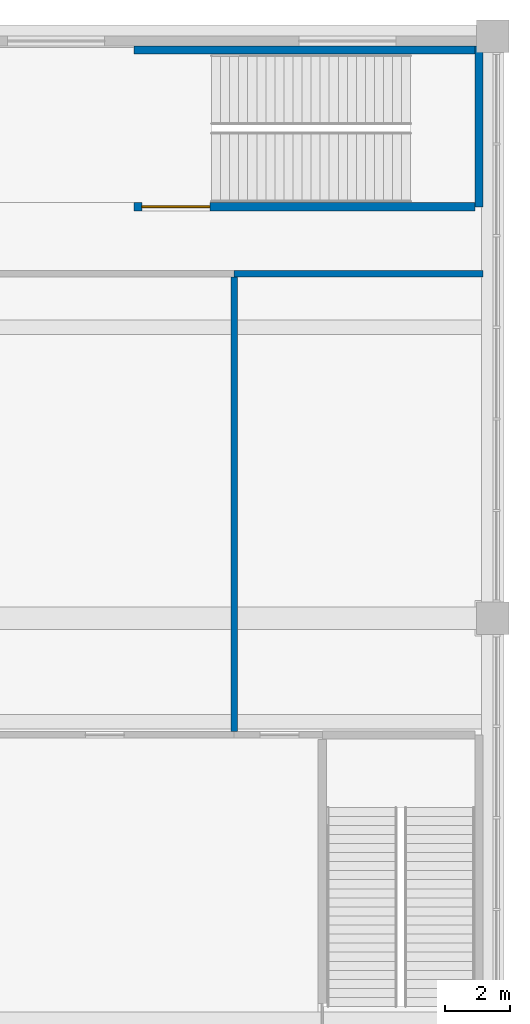
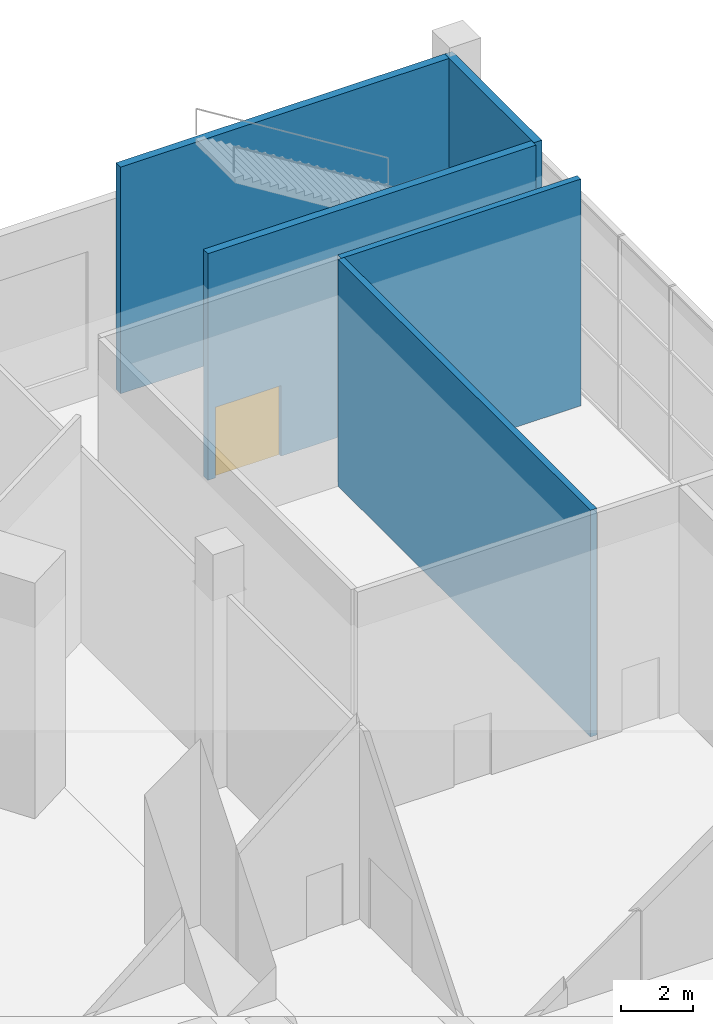
# One storey, part 11 of 15: 5 walls, 1 door, 1 opening.
"""IFC4 building model written with IfcOpenShell, lengths in metres."""

from ifc_helpers import new_model, si_unit, direction, frame, frame_2d, origin, place, context, subcontext, project, spatial, rectangle, extrude, material, layer, layer_set, type_object, element, fill, save


model = new_model("IFC4")

# Units and contexts
model_context = context("Model", 3, precision=1e-05, world=origin(), true_north=direction((0.0, 1.0)))
body_context = subcontext(model_context, "Body", "Model", "MODEL_VIEW")
ifc_project = project(units=[si_unit("LENGTHUNIT", "METRE"), si_unit("AREAUNIT", "SQUARE_METRE"), si_unit("VOLUMEUNIT", "CUBIC_METRE"), si_unit("PLANEANGLEUNIT", "RADIAN"), si_unit("MASSUNIT", "GRAM", prefix="KILO")], contexts=[model_context])

# Site, building, storey
site_placement = place(None, origin())
site = spatial("IfcSite", under=ifc_project, at=site_placement, CompositionType="ELEMENT")
building_placement = place(site_placement, origin())
building = spatial("IfcBuilding", under=site, at=building_placement, Name="Vanh Sen Convention Tower", CompositionType="ELEMENT")
storey_placement = place(building_placement, frame((0.0, 0.0, 21.0)))
storey = spatial("IfcBuildingStorey", under=building, at=storey_placement, Name="L03", CompositionType="ELEMENT", Elevation=21.0)

# Wall, opening, door
ifc_material_1 = material(Name="Concrete C40/50", Category="concrete")
ifc_layer_1 = layer(ifc_material_1, 0.25)
ifc_layer_set_1 = layer_set([ifc_layer_1], Name="Concrete C40/50")
wall_type_1 = type_object("IfcWallType", Name="Concrete wall 250 REI 180", PredefinedType="SOLIDWALL", material=ifc_layer_set_1)
wall_1_placement = place(storey_placement, frame((44.43994140625, 21.72509765625, 0.0), z_axis=(0.0, 0.0, 1.0), x_axis=(-1.0, 0.0, 0.0)))
wall_1 = element("IfcWall", 1, at=wall_1_placement, inside=storey, type_object=wall_type_1, Name="Fire-resisting wall L03-112", PredefinedType="SOLIDWALL", context=body_context, shape_type="SweptSolid", body=[
    extrude(rectangle(XDim=10.5400390625, YDim=0.25, at=frame_2d((5.27001953125, 0.0))), origin(), (0.0, 0.0, 1.0), 7.699951171875),
])
opening_placement = place(wall_1_placement, frame((8.18994140625, 0.0, 0.0)))
opening = element("IfcOpeningElement", 2, at=opening_placement, cuts=wall_1, Name="Opening D03126", PredefinedType="OPENING", context=body_context, shape_type="SweptSolid", body=[
    extrude(rectangle(XDim=2.10009765625, YDim=2.39990234375, at=frame_2d((1.050048828125, 1.199951171875))), frame((0.0, 0.135009765625, 0.0), z_axis=(0.0, -1.0, 0.0), x_axis=(1.0, 0.0, 0.0)), (0.0, 0.0, 1.0), 0.27001953125),
])
ifc_material_2 = material(Name="Steel S355", Category="steel")
door_type = type_object("IfcDoorType", Name="Stair door 2100 EI 60", OperationType="DOUBLE_DOOR_SINGLE_SWING", PredefinedType="DOOR", material=ifc_material_2)
door_placement = place(opening_placement, frame((2.10009765625, 0.0, 0.0), z_axis=(0.0, 0.0, 1.0), x_axis=(-1.0, 0.0, 0.0)))
door = element("IfcDoor", 3, at=door_placement, inside=storey, type_object=door_type, Name="Stair door D03126", OperationType="DOUBLE_DOOR_SINGLE_SWING", OverallHeight=2.39990234375, OverallWidth=2.10009765625, PredefinedType="DOOR", context=body_context, shape_type="SweptSolid", body=[
    extrude(rectangle(XDim=2.10009765625, YDim=2.39990234375, at=frame_2d((1.050048828125, 1.199951171875))), frame((0.0, 0.02490234375, 0.0), z_axis=(0.0, -1.0, 0.0), x_axis=(1.0, 0.0, 0.0)), (0.0, 0.0, 1.0), 0.050048828125),
])
fill(opening, door)

# Walls
wall_2_placement = place(storey_placement, frame((44.574951171875, 21.72509765625, 0.0), z_axis=(0.0, 0.0, 1.0), x_axis=(0.0, 1.0, 0.0)))
element("IfcWall", 4, at=wall_2_placement, inside=storey, type_object=wall_type_1, Name="Stair enclosure wall PS1 L03", PredefinedType="SOLIDWALL", context=body_context, shape_type="SweptSolid", body=[
    extrude(rectangle(XDim=4.974853515625, YDim=0.25, at=frame_2d((2.4873046875, 0.0))), origin(), (0.0, 0.0, 1.0), 7.699951171875),
])
wall_3_placement = place(storey_placement, frame((44.449951171875, 26.574951171875, 0.0), z_axis=(0.0, 0.0, 1.0), x_axis=(-1.0, 0.0, 0.0)))
element("IfcWall", 5, at=wall_3_placement, inside=storey, type_object=wall_type_1, Name="Stair enclosure wall PS1 L03", PredefinedType="SOLIDWALL", context=body_context, shape_type="SweptSolid", body=[
    extrude(rectangle(XDim=10.550048828125, YDim=0.25, at=frame_2d((5.27490234375, 0.0))), origin(), (0.0, 0.0, 1.0), 7.699951171875),
])
ifc_material_3 = material(Name="Acoustic operable panels on an overhead track", Category="gypsum")
ifc_layer_2 = layer(ifc_material_3, 0.199951171875)
ifc_layer_set_2 = layer_set([ifc_layer_2], Name="Acoustic operable panels on an overhead track")
wall_type_2 = type_object("IfcWallType", Name="Operable partition 200 EI 120", PredefinedType="MOVABLE", material=ifc_layer_set_2)
wall_4_placement = place(storey_placement, frame((37.0, 19.550048828125, 0.0), z_axis=(0.0, 0.0, 1.0), x_axis=(0.0, -1.0, 0.0)))
element("IfcWall", 6, at=wall_4_placement, inside=storey, type_object=wall_type_2, Name="Operable partition L03-095", PredefinedType="MOVABLE", context=body_context, shape_type="SweptSolid", body=[
    extrude(rectangle(XDim=14.050048828125, YDim=0.199951171875, at=frame_2d((7.02490234375, 0.0))), origin(), (0.0, 0.0, 1.0), 7.699951171875),
])
ifc_material_4 = material(Name="Concrete C20/25", Category="concrete")
ifc_layer_3 = layer(ifc_material_4, 0.199951171875)
ifc_layer_set_3 = layer_set([ifc_layer_3], Name="Concrete C20/25")
wall_type_3 = type_object("IfcWallType", Name="Partition 200 EI 120", PredefinedType="PARTITIONING", material=ifc_layer_set_3)
wall_5_placement = place(storey_placement, frame((44.699951171875, 19.64990234375, 0.0), z_axis=(0.0, 0.0, 1.0), x_axis=(-1.0, 0.0, 0.0)))
element("IfcWall", 7, at=wall_5_placement, inside=storey, type_object=wall_type_3, Name="Partition L03-099", PredefinedType="PARTITIONING", context=body_context, shape_type="SweptSolid", body=[
    extrude(rectangle(XDim=7.699951171875, YDim=0.199951171875, at=frame_2d((3.85009765625, 0.0))), origin(), (0.0, 0.0, 1.0), 7.699951171875),
])

save(model, "model.ifc")
